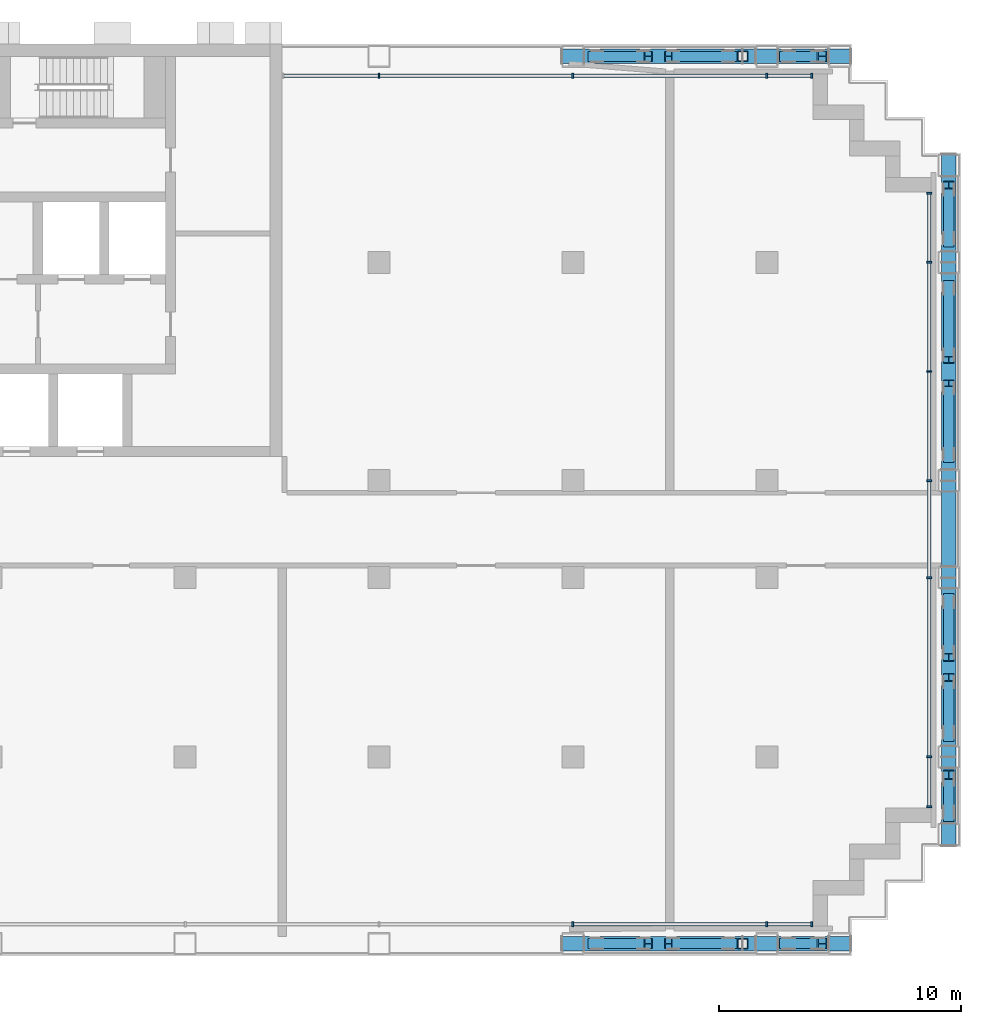
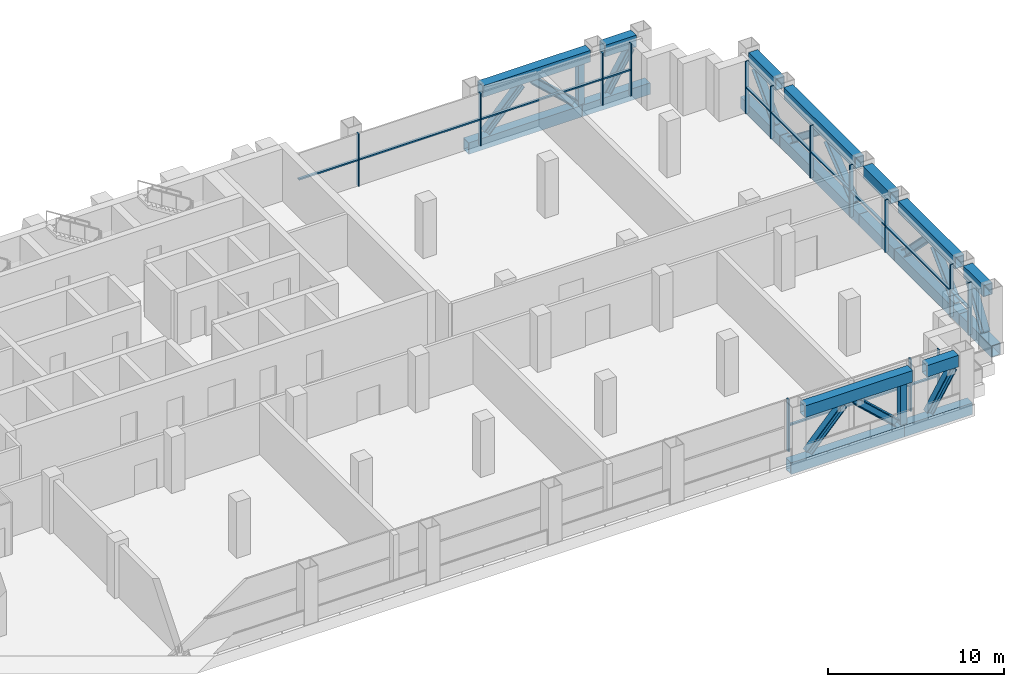
# One storey, part 5 of 19: 58 members, 3 elements without a shape of their own.
"""IFC4 building model written with IfcOpenShell, lengths in metres."""

from ifc_helpers import new_model, si_unit, direction, frame, origin, origin_2d, place, context, subcontext, project, spatial, rectangle, hollow_rectangle, i_section, extrude, material, material_profile, profile_set, type_object, element, aggregate, save


model = new_model("IFC4")

# Units and contexts
model_context = context("Model", 3, precision=1e-05, world=origin(), true_north=direction((0.0, 1.0)))
body_context = subcontext(model_context, "Body", "Model", "MODEL_VIEW")
ifc_project = project(units=[si_unit("LENGTHUNIT", "METRE"), si_unit("AREAUNIT", "SQUARE_METRE"), si_unit("VOLUMEUNIT", "CUBIC_METRE"), si_unit("PLANEANGLEUNIT", "RADIAN"), si_unit("MASSUNIT", "GRAM", prefix="KILO")], contexts=[model_context])

# Site, building, storey
site_placement = place(None, origin())
site = spatial("IfcSite", under=ifc_project, at=site_placement, CompositionType="ELEMENT")
building_placement = place(site_placement, origin())
building = spatial("IfcBuilding", under=site, at=building_placement, Name="Vidyagriha Tower", CompositionType="ELEMENT")
storey_placement = place(building_placement, frame((0.0, 0.0, 73.60009765625)))
storey = spatial("IfcBuildingStorey", under=building, at=storey_placement, Name="L18", CompositionType="ELEMENT", Elevation=73.60009765625)

# Curtain wall, members
ifc_material_1 = material(Name="Aluminium and glass curtain wall", Category="aluminium")
curtain_wall_type = type_object("IfcCurtainWallType", Name="Plant louvre wall", PredefinedType="USERDEFINED", material=ifc_material_1)
curtain_wall_1_placement = place(storey_placement, origin())
curtain_wall_1 = element("IfcCurtainWall", 1, at=curtain_wall_1_placement, inside=storey, type_object=curtain_wall_type, Name="CW7 plant louvre wall", ObjectType="STICK GLAZING", PredefinedType="USERDEFINED")
ifc_material_2 = material(Name="Aluminium black anodised", Category="aluminium")
ifc_material_profile_1 = material_profile(ifc_material_2, rectangle(XDim=0.219970703125, YDim=0.080078125, at=origin_2d()), Name="Mullion 80x220 black aluminium")
ifc_profile_set_1 = profile_set([ifc_material_profile_1], Name="Aluminium black anodised")
member_type_1 = type_object("IfcMemberType", Name="Mullion 80x220 black aluminium", PredefinedType="MULLION", material=ifc_profile_set_1)
member_1_placement = place(storey_placement, frame((35.860107421875, 18.699951171875, 0.0), z_axis=(0.0, 0.0, 1.0), x_axis=(0.0, -1.0, 0.0)))
member_1 = element("IfcMember", 2, at=member_1_placement, type_object=member_type_1, Name="CW7 mullion 1", PredefinedType="MULLION", context=body_context, shape_type="SweptSolid", body=[
    extrude(rectangle(XDim=0.219970703125, YDim=0.080078125, at=origin_2d()), origin(), (0.0, 0.0, 1.0), 3.619873046875),
])
member_2_placement = place(storey_placement, frame((34.0, 18.699951171875, 0.0), z_axis=(0.0, 0.0, 1.0), x_axis=(0.0, -1.0, 0.0)))
member_2 = element("IfcMember", 3, at=member_2_placement, type_object=member_type_1, Name="CW7 mullion 2", PredefinedType="MULLION", context=body_context, shape_type="SweptSolid", body=[
    extrude(rectangle(XDim=0.219970703125, YDim=0.080078125, at=origin_2d()), origin(), (0.0, 0.0, 1.0), 3.619873046875),
])
member_3_placement = place(storey_placement, frame((26.0, 18.699951171875, 0.0), z_axis=(0.0, 0.0, 1.0), x_axis=(0.0, -1.0, 0.0)))
member_3 = element("IfcMember", 4, at=member_3_placement, type_object=member_type_1, Name="CW7 mullion 3", PredefinedType="MULLION", context=body_context, shape_type="SweptSolid", body=[
    extrude(rectangle(XDim=0.219970703125, YDim=0.080078125, at=origin_2d()), origin(), (0.0, 0.0, 1.0), 3.619873046875),
])
member_4_placement = place(storey_placement, frame((18.0, 18.699951171875, 0.0), z_axis=(0.0, 0.0, 1.0), x_axis=(0.0, -1.0, 0.0)))
member_4 = element("IfcMember", 5, at=member_4_placement, type_object=member_type_1, Name="CW7 mullion 4", PredefinedType="MULLION", context=body_context, shape_type="SweptSolid", body=[
    extrude(rectangle(XDim=0.219970703125, YDim=0.080078125, at=origin_2d()), origin(), (0.0, 0.0, 1.0), 3.619873046875),
])

curtain_wall_2_placement = place(storey_placement, origin())
curtain_wall_2 = element("IfcCurtainWall", 6, at=curtain_wall_2_placement, inside=storey, type_object=curtain_wall_type, Name="CW7 plant louvre wall", ObjectType="STICK GLAZING", PredefinedType="USERDEFINED")
member_5_placement = place(storey_placement, frame((26.0, -16.300048828125, 0.0), z_axis=(0.0, 0.0, 1.0), x_axis=(0.0, 1.0, 0.0)))
member_5 = element("IfcMember", 7, at=member_5_placement, type_object=member_type_1, Name="CW7 mullion 8", PredefinedType="MULLION", context=body_context, shape_type="SweptSolid", body=[
    extrude(rectangle(XDim=0.219970703125, YDim=0.080078125, at=origin_2d()), origin(), (0.0, 0.0, 1.0), 3.619873046875),
])
member_6_placement = place(storey_placement, frame((34.0, -16.300048828125, 0.0), z_axis=(0.0, 0.0, 1.0), x_axis=(0.0, 1.0, 0.0)))
member_6 = element("IfcMember", 8, at=member_6_placement, type_object=member_type_1, Name="CW7 mullion 9", PredefinedType="MULLION", context=body_context, shape_type="SweptSolid", body=[
    extrude(rectangle(XDim=0.219970703125, YDim=0.080078125, at=origin_2d()), origin(), (0.0, 0.0, 1.0), 3.619873046875),
])
member_7_placement = place(storey_placement, frame((35.860107421875, -16.300048828125, 0.0), z_axis=(0.0, 0.0, 1.0), x_axis=(0.0, 1.0, 0.0)))
member_7 = element("IfcMember", 9, at=member_7_placement, type_object=member_type_1, Name="CW7 mullion 10", PredefinedType="MULLION", context=body_context, shape_type="SweptSolid", body=[
    extrude(rectangle(XDim=0.219970703125, YDim=0.080078125, at=origin_2d()), origin(), (0.0, 0.0, 1.0), 3.619873046875),
])

curtain_wall_3_placement = place(storey_placement, origin())
curtain_wall_3 = element("IfcCurtainWall", 10, at=curtain_wall_3_placement, inside=storey, type_object=curtain_wall_type, Name="CW7 plant louvre wall", ObjectType="STICK GLAZING", PredefinedType="USERDEFINED")
member_8_placement = place(storey_placement, frame((40.699951171875, -11.4599609375, 0.0), z_axis=(0.0, 0.0, 1.0), x_axis=(-1.0, 0.0, 0.0)))
member_8 = element("IfcMember", 11, at=member_8_placement, type_object=member_type_1, Name="CW7 mullion 1", PredefinedType="MULLION", context=body_context, shape_type="SweptSolid", body=[
    extrude(rectangle(XDim=0.219970703125, YDim=0.080078125, at=origin_2d()), origin(), (0.0, 0.0, 1.0), 3.619873046875),
])
member_9_placement = place(storey_placement, frame((40.699951171875, -9.39990234375, 0.0), z_axis=(0.0, 0.0, 1.0), x_axis=(-1.0, 0.0, 0.0)))
member_9 = element("IfcMember", 12, at=member_9_placement, type_object=member_type_1, Name="CW7 mullion 2", PredefinedType="MULLION", context=body_context, shape_type="SweptSolid", body=[
    extrude(rectangle(XDim=0.219970703125, YDim=0.080078125, at=origin_2d()), origin(), (0.0, 0.0, 1.0), 3.619873046875),
])
member_10_placement = place(storey_placement, frame((40.699951171875, -2.0, 0.0), z_axis=(0.0, 0.0, 1.0), x_axis=(-1.0, 0.0, 0.0)))
member_10 = element("IfcMember", 13, at=member_10_placement, type_object=member_type_1, Name="CW7 mullion 3", PredefinedType="MULLION", context=body_context, shape_type="SweptSolid", body=[
    extrude(rectangle(XDim=0.219970703125, YDim=0.080078125, at=origin_2d()), origin(), (0.0, 0.0, 1.0), 3.619873046875),
])
member_11_placement = place(storey_placement, frame((40.699951171875, 2.0, 0.0), z_axis=(0.0, 0.0, 1.0), x_axis=(-1.0, 0.0, 0.0)))
member_11 = element("IfcMember", 14, at=member_11_placement, type_object=member_type_1, Name="CW7 mullion 4", PredefinedType="MULLION", context=body_context, shape_type="SweptSolid", body=[
    extrude(rectangle(XDim=0.219970703125, YDim=0.080078125, at=origin_2d()), origin(), (0.0, 0.0, 1.0), 3.619873046875),
])
member_12_placement = place(storey_placement, frame((40.699951171875, 6.5, 0.0), z_axis=(0.0, 0.0, 1.0), x_axis=(-1.0, 0.0, 0.0)))
member_12 = element("IfcMember", 15, at=member_12_placement, type_object=member_type_1, Name="CW7 mullion 5", PredefinedType="MULLION", context=body_context, shape_type="SweptSolid", body=[
    extrude(rectangle(XDim=0.219970703125, YDim=0.080078125, at=origin_2d()), origin(), (0.0, 0.0, 1.0), 3.619873046875),
])
member_13_placement = place(storey_placement, frame((40.699951171875, 11.0, 0.0), z_axis=(0.0, 0.0, 1.0), x_axis=(-1.0, 0.0, 0.0)))
member_13 = element("IfcMember", 16, at=member_13_placement, type_object=member_type_1, Name="CW7 mullion 6", PredefinedType="MULLION", context=body_context, shape_type="SweptSolid", body=[
    extrude(rectangle(XDim=0.219970703125, YDim=0.080078125, at=origin_2d()), origin(), (0.0, 0.0, 1.0), 3.619873046875),
])
member_14_placement = place(storey_placement, frame((40.699951171875, 13.860107421875, 0.0), z_axis=(0.0, 0.0, 1.0), x_axis=(-1.0, 0.0, 0.0)))
member_14 = element("IfcMember", 17, at=member_14_placement, type_object=member_type_1, Name="CW7 mullion 7", PredefinedType="MULLION", context=body_context, shape_type="SweptSolid", body=[
    extrude(rectangle(XDim=0.219970703125, YDim=0.080078125, at=origin_2d()), origin(), (0.0, 0.0, 1.0), 3.619873046875),
])

# Members
ifc_material_3 = material(Name="Steel ASTM A572 Grade 50", Category="steel")
ifc_material_profile_2 = material_profile(ifc_material_3, hollow_rectangle(XDim=0.60009765625, YDim=0.800048828125, WallThickness=0.034912109375, at=origin_2d()), Name="BOX 800x600x35")
ifc_profile_set_2 = profile_set([ifc_material_profile_2], Name="Steel ASTM A572 Grade 50")
member_type_2 = type_object("IfcMemberType", Name="Transfer truss chord BOX 800x600x35", PredefinedType="CHORD", material=ifc_profile_set_2)
member_15_placement = place(storey_placement, frame((25.550048828125, -17.10009765625, -0.400146484375), z_axis=(1.0, 0.0, 0.0), x_axis=(0.0, 1.0, 0.0)))
element("IfcMember", 18, at=member_15_placement, inside=storey, type_object=member_type_2, Name="st-truss-L18-T01-B00", PredefinedType="CHORD", context=body_context, shape_type="SweptSolid", body=[
    extrude(hollow_rectangle(XDim=0.60009765625, YDim=0.800048828125, WallThickness=0.034912109375, at=origin_2d()), origin(), (0.0, 0.0, 1.0), 7.430419921875),
])
member_16_placement = place(storey_placement, frame((26.469482421875, -17.10009765625, 3.219970703125), z_axis=(1.0, 0.0, 0.0), x_axis=(0.0, 1.0, 0.0)))
element("IfcMember", 19, at=member_16_placement, inside=storey, type_object=member_type_2, Name="st-truss-L18-T01-T00", PredefinedType="CHORD", context=body_context, shape_type="SweptSolid", body=[
    extrude(hollow_rectangle(XDim=0.60009765625, YDim=0.800048828125, WallThickness=0.034912109375, at=origin_2d()), origin(), (0.0, 0.0, 1.0), 7.06103515625),
])
member_17_placement = place(storey_placement, frame((33.0, -17.10009765625, -0.400146484375), z_axis=(1.0, 0.0, 0.0), x_axis=(0.0, 1.0, 0.0)))
element("IfcMember", 20, at=member_17_placement, inside=storey, type_object=member_type_2, Name="st-truss-L18-T01-B01", PredefinedType="CHORD", context=body_context, shape_type="SweptSolid", body=[
    extrude(hollow_rectangle(XDim=0.60009765625, YDim=0.800048828125, WallThickness=0.034912109375, at=origin_2d()), origin(), (0.0, 0.0, 1.0), 4.449951171875),
])
member_18_placement = place(storey_placement, frame((34.469482421875, -17.10009765625, 3.219970703125), z_axis=(1.0, 0.0, 0.0), x_axis=(0.0, 1.0, 0.0)))
element("IfcMember", 21, at=member_18_placement, inside=storey, type_object=member_type_2, Name="st-truss-L18-T01-T02", PredefinedType="CHORD", context=body_context, shape_type="SweptSolid", body=[
    extrude(hollow_rectangle(XDim=0.60009765625, YDim=0.800048828125, WallThickness=0.034912109375, at=origin_2d()), origin(), (0.0, 0.0, 1.0), 2.06103515625),
])
member_19_placement = place(storey_placement, frame((25.550048828125, 19.5, -0.400146484375), z_axis=(1.0, 0.0, 0.0), x_axis=(0.0, 1.0, 0.0)))
element("IfcMember", 22, at=member_19_placement, inside=storey, type_object=member_type_2, Name="st-truss-L18-T07-B00", PredefinedType="CHORD", context=body_context, shape_type="SweptSolid", body=[
    extrude(hollow_rectangle(XDim=0.60009765625, YDim=0.800048828125, WallThickness=0.034912109375, at=origin_2d()), origin(), (0.0, 0.0, 1.0), 7.430419921875),
])
member_20_placement = place(storey_placement, frame((26.469482421875, 19.5, 3.219970703125), z_axis=(1.0, 0.0, 0.0), x_axis=(0.0, 1.0, 0.0)))
element("IfcMember", 23, at=member_20_placement, inside=storey, type_object=member_type_2, Name="st-truss-L18-T07-T00", PredefinedType="CHORD", context=body_context, shape_type="SweptSolid", body=[
    extrude(hollow_rectangle(XDim=0.60009765625, YDim=0.800048828125, WallThickness=0.034912109375, at=origin_2d()), origin(), (0.0, 0.0, 1.0), 7.06103515625),
])
member_21_placement = place(storey_placement, frame((33.0, 19.5, -0.400146484375), z_axis=(1.0, 0.0, 0.0), x_axis=(0.0, 1.0, 0.0)))
element("IfcMember", 24, at=member_21_placement, inside=storey, type_object=member_type_2, Name="st-truss-L18-T07-B01", PredefinedType="CHORD", context=body_context, shape_type="SweptSolid", body=[
    extrude(hollow_rectangle(XDim=0.60009765625, YDim=0.800048828125, WallThickness=0.034912109375, at=origin_2d()), origin(), (0.0, 0.0, 1.0), 4.449951171875),
])
member_22_placement = place(storey_placement, frame((34.469482421875, 19.5, 3.219970703125), z_axis=(1.0, 0.0, 0.0), x_axis=(0.0, 1.0, 0.0)))
element("IfcMember", 25, at=member_22_placement, inside=storey, type_object=member_type_2, Name="st-truss-L18-T07-T02", PredefinedType="CHORD", context=body_context, shape_type="SweptSolid", body=[
    extrude(hollow_rectangle(XDim=0.60009765625, YDim=0.800048828125, WallThickness=0.034912109375, at=origin_2d()), origin(), (0.0, 0.0, 1.0), 2.06103515625),
])
member_23_placement = place(storey_placement, frame((41.5, -13.050048828125, -0.400146484375), z_axis=(0.0, 1.0, 0.0), x_axis=(-1.0, 0.0, 0.0)))
element("IfcMember", 26, at=member_23_placement, inside=storey, type_object=member_type_2, Name="st-truss-L18-T09-B00", PredefinedType="CHORD", context=body_context, shape_type="SweptSolid", body=[
    extrude(hollow_rectangle(XDim=0.60009765625, YDim=0.800048828125, WallThickness=0.034912109375, at=origin_2d()), origin(), (0.0, 0.0, 1.0), 3.630615234375),
])
member_24_placement = place(storey_placement, frame((41.5, -12.130615234375, 3.219970703125), z_axis=(0.0, 1.0, 0.0), x_axis=(-1.0, 0.0, 0.0)))
element("IfcMember", 27, at=member_24_placement, inside=storey, type_object=member_type_2, Name="st-truss-L18-T09-T00", PredefinedType="CHORD", context=body_context, shape_type="SweptSolid", body=[
    extrude(hollow_rectangle(XDim=0.60009765625, YDim=0.800048828125, WallThickness=0.034912109375, at=origin_2d()), origin(), (0.0, 0.0, 1.0), 2.26123046875),
])
member_25_placement = place(storey_placement, frame((41.5, -9.39990234375, -0.400146484375), z_axis=(0.0, 1.0, 0.0), x_axis=(-1.0, 0.0, 0.0)))
element("IfcMember", 28, at=member_25_placement, inside=storey, type_object=member_type_2, Name="st-truss-L18-T09-B01", PredefinedType="CHORD", context=body_context, shape_type="SweptSolid", body=[
    extrude(hollow_rectangle(XDim=0.60009765625, YDim=0.800048828125, WallThickness=0.034912109375, at=origin_2d()), origin(), (0.0, 0.0, 1.0), 7.38037109375),
])
member_26_placement = place(storey_placement, frame((41.5, -8.930419921875, 3.219970703125), z_axis=(0.0, 1.0, 0.0), x_axis=(-1.0, 0.0, 0.0)))
element("IfcMember", 29, at=member_26_placement, inside=storey, type_object=member_type_2, Name="st-truss-L18-T09-T01", PredefinedType="CHORD", context=body_context, shape_type="SweptSolid", body=[
    extrude(hollow_rectangle(XDim=0.60009765625, YDim=0.800048828125, WallThickness=0.034912109375, at=origin_2d()), origin(), (0.0, 0.0, 1.0), 6.4609375),
])
member_27_placement = place(storey_placement, frame((41.5, -2.0, -0.400146484375), z_axis=(0.0, 1.0, 0.0), x_axis=(-1.0, 0.0, 0.0)))
element("IfcMember", 30, at=member_27_placement, inside=storey, type_object=member_type_2, Name="st-truss-L18-T09-B02", PredefinedType="CHORD", context=body_context, shape_type="SweptSolid", body=[
    extrude(hollow_rectangle(XDim=0.60009765625, YDim=0.800048828125, WallThickness=0.034912109375, at=origin_2d()), origin(), (0.0, 0.0, 1.0), 3.98046875),
])
member_28_placement = place(storey_placement, frame((41.5, -1.530517578125, 3.219970703125), z_axis=(0.0, 1.0, 0.0), x_axis=(-1.0, 0.0, 0.0)))
element("IfcMember", 31, at=member_28_placement, inside=storey, type_object=member_type_2, Name="st-truss-L18-T09-T02", PredefinedType="CHORD", context=body_context, shape_type="SweptSolid", body=[
    extrude(hollow_rectangle(XDim=0.60009765625, YDim=0.800048828125, WallThickness=0.034912109375, at=origin_2d()), origin(), (0.0, 0.0, 1.0), 3.06103515625),
])
member_29_placement = place(storey_placement, frame((41.5, 2.0, -0.400146484375), z_axis=(0.0, 1.0, 0.0), x_axis=(-1.0, 0.0, 0.0)))
element("IfcMember", 32, at=member_29_placement, inside=storey, type_object=member_type_2, Name="st-truss-L18-T09-B03", PredefinedType="CHORD", context=body_context, shape_type="SweptSolid", body=[
    extrude(hollow_rectangle(XDim=0.60009765625, YDim=0.800048828125, WallThickness=0.034912109375, at=origin_2d()), origin(), (0.0, 0.0, 1.0), 8.98046875),
])
member_30_placement = place(storey_placement, frame((41.5, 2.469482421875, 3.219970703125), z_axis=(0.0, 1.0, 0.0), x_axis=(-1.0, 0.0, 0.0)))
element("IfcMember", 33, at=member_30_placement, inside=storey, type_object=member_type_2, Name="st-truss-L18-T09-T03", PredefinedType="CHORD", context=body_context, shape_type="SweptSolid", body=[
    extrude(hollow_rectangle(XDim=0.60009765625, YDim=0.800048828125, WallThickness=0.034912109375, at=origin_2d()), origin(), (0.0, 0.0, 1.0), 8.06103515625),
])
member_31_placement = place(storey_placement, frame((41.5, 11.0, -0.400146484375), z_axis=(0.0, 1.0, 0.0), x_axis=(-1.0, 0.0, 0.0)))
element("IfcMember", 34, at=member_31_placement, inside=storey, type_object=member_type_2, Name="st-truss-L18-T09-B04", PredefinedType="CHORD", context=body_context, shape_type="SweptSolid", body=[
    extrude(hollow_rectangle(XDim=0.60009765625, YDim=0.800048828125, WallThickness=0.034912109375, at=origin_2d()), origin(), (0.0, 0.0, 1.0), 4.449951171875),
])
member_32_placement = place(storey_placement, frame((41.5, 11.469482421875, 3.219970703125), z_axis=(0.0, 1.0, 0.0), x_axis=(-1.0, 0.0, 0.0)))
element("IfcMember", 35, at=member_32_placement, inside=storey, type_object=member_type_2, Name="st-truss-L18-T09-T04", PredefinedType="CHORD", context=body_context, shape_type="SweptSolid", body=[
    extrude(hollow_rectangle(XDim=0.60009765625, YDim=0.800048828125, WallThickness=0.034912109375, at=origin_2d()), origin(), (0.0, 0.0, 1.0), 3.06103515625),
])
ifc_material_4 = material(Name="Steel ASTM A913 Grade 65", Category="steel")
ifc_material_profile_3 = material_profile(ifc_material_4, i_section(OverallWidth=0.421630859375, OverallDepth=0.46484375, WebThickness=0.030029296875, FlangeThickness=0.052978515625, at=origin_2d()), Name="W14X398")
ifc_profile_set_3 = profile_set([ifc_material_profile_3], Name="Steel ASTM A913 Grade 65")
member_type_3 = type_object("IfcMemberType", Name="Transfer truss diagonal W14X398", PredefinedType="BRACE", material=ifc_profile_set_3)
member_33_placement = place(storey_placement, frame((26.795166015625, -17.10009765625, 0.157470703125), z_axis=(0.677863337289, 0.0, 0.735187932409), x_axis=(0.0, 1.0, 0.0)))
element("IfcMember", 36, at=member_33_placement, inside=storey, type_object=member_type_3, Name="st-truss-L18-T01-D000", PredefinedType="BRACE", context=body_context, shape_type="SweptSolid", body=[
    extrude(i_section(OverallWidth=0.421630859375, OverallDepth=0.46484375, WebThickness=0.030029296875, FlangeThickness=0.052978515625, at=origin_2d()), origin(), (0.0, 0.0, 1.0), 3.4072265625),
])
member_34_placement = place(storey_placement, frame((29.9345703125, -17.10009765625, 2.649169921875), z_axis=(0.73428024386, 0.0, -0.678846465319), x_axis=(0.0, 1.0, 0.0)))
element("IfcMember", 37, at=member_34_placement, inside=storey, type_object=member_type_3, Name="st-truss-L18-T01-D001", PredefinedType="BRACE", context=body_context, shape_type="SweptSolid", body=[
    extrude(i_section(OverallWidth=0.421630859375, OverallDepth=0.46484375, WebThickness=0.030029296875, FlangeThickness=0.052978515625, at=origin_2d()), origin(), (0.0, 0.0, 1.0), 3.651123046875),
])
member_35_placement = place(storey_placement, frame((34.722412109375, -17.10009765625, 0.119873046875), z_axis=(0.516234706047, 0.0, 0.856447154396), x_axis=(0.0, 1.0, 0.0)))
element("IfcMember", 38, at=member_35_placement, inside=storey, type_object=member_type_3, Name="st-truss-L18-T01-D020", PredefinedType="BRACE", context=body_context, shape_type="SweptSolid", body=[
    extrude(i_section(OverallWidth=0.421630859375, OverallDepth=0.46484375, WebThickness=0.030029296875, FlangeThickness=0.052978515625, at=origin_2d()), origin(), (0.0, 0.0, 1.0), 3.012451171875),
])
member_36_placement = place(storey_placement, frame((26.795166015625, 19.5, 0.157470703125), z_axis=(0.677863337289, 0.0, 0.735187932409), x_axis=(0.0, 1.0, 0.0)))
element("IfcMember", 39, at=member_36_placement, inside=storey, type_object=member_type_3, Name="st-truss-L18-T07-D000", PredefinedType="BRACE", context=body_context, shape_type="SweptSolid", body=[
    extrude(i_section(OverallWidth=0.421630859375, OverallDepth=0.46484375, WebThickness=0.030029296875, FlangeThickness=0.052978515625, at=origin_2d()), origin(), (0.0, 0.0, 1.0), 3.4072265625),
])
member_37_placement = place(storey_placement, frame((29.9345703125, 19.5, 2.649169921875), z_axis=(0.73428024386, 0.0, -0.678846465319), x_axis=(0.0, 1.0, 0.0)))
element("IfcMember", 40, at=member_37_placement, inside=storey, type_object=member_type_3, Name="st-truss-L18-T07-D001", PredefinedType="BRACE", context=body_context, shape_type="SweptSolid", body=[
    extrude(i_section(OverallWidth=0.421630859375, OverallDepth=0.46484375, WebThickness=0.030029296875, FlangeThickness=0.052978515625, at=origin_2d()), origin(), (0.0, 0.0, 1.0), 3.651123046875),
])
member_38_placement = place(storey_placement, frame((34.722412109375, 19.5, 0.119873046875), z_axis=(0.516234706047, 0.0, 0.856447154396), x_axis=(0.0, 1.0, 0.0)))
element("IfcMember", 41, at=member_38_placement, inside=storey, type_object=member_type_3, Name="st-truss-L18-T07-D020", PredefinedType="BRACE", context=body_context, shape_type="SweptSolid", body=[
    extrude(i_section(OverallWidth=0.421630859375, OverallDepth=0.46484375, WebThickness=0.030029296875, FlangeThickness=0.052978515625, at=origin_2d()), origin(), (0.0, 0.0, 1.0), 3.012451171875),
])
member_39_placement = place(storey_placement, frame((41.5, -11.862548828125, 0.1298828125), z_axis=(0.0, 0.558817992611, 0.829290329821), x_axis=(-1.0, 0.0, 0.0)))
element("IfcMember", 42, at=member_39_placement, inside=storey, type_object=member_type_3, Name="st-truss-L18-T09-D000", PredefinedType="BRACE", context=body_context, shape_type="SweptSolid", body=[
    extrude(i_section(OverallWidth=0.421630859375, OverallDepth=0.46484375, WebThickness=0.030029296875, FlangeThickness=0.052978515625, at=origin_2d()), origin(), (0.0, 0.0, 1.0), 3.087158203125),
])
for number, where, z_axis, x_axis, name in (
    (43, (41.5, -8.58740234375, 0.16357421875), (0.0, 0.704565322512, 0.709639138093), (-1.0, 0.0, 0.0), "st-truss-L18-T09-D010"),
    (44, (41.5, -5.287353515625, 2.65625), (0.0, 0.704565322512, -0.709639138093), (-1.0, 0.0, 0.0), "st-truss-L18-T09-D011"),
):
    element("IfcMember", number, at=place(storey_placement, frame(where, z_axis=z_axis, x_axis=x_axis)), inside=storey, type_object=member_type_3, Name=name, PredefinedType="BRACE", context=body_context, shape_type="SweptSolid", body=[
        extrude(i_section(OverallWidth=0.421630859375, OverallDepth=0.46484375, WebThickness=0.030029296875, FlangeThickness=0.052978515625, at=origin_2d()), origin(), (0.0, 0.0, 1.0), 3.5126953125),
    ])
for number, where, z_axis, x_axis, name in (
    (45, (41.5, 2.883544921875, 0.182861328125), (0.0, 0.787220111676, 0.616672113666), (-1.0, 0.0, 0.0), "st-truss-L18-T09-D030"),
    (46, (41.5, 6.983642578125, 2.636962890625), (0.0, 0.787220111676, -0.616672113666), (-1.0, 0.0, 0.0), "st-truss-L18-T09-D031"),
):
    element("IfcMember", number, at=place(storey_placement, frame(where, z_axis=z_axis, x_axis=x_axis)), inside=storey, type_object=member_type_3, Name=name, PredefinedType="BRACE", context=body_context, shape_type="SweptSolid", body=[
        extrude(i_section(OverallWidth=0.421630859375, OverallDepth=0.46484375, WebThickness=0.030029296875, FlangeThickness=0.052978515625, at=origin_2d()), origin(), (0.0, 0.0, 1.0), 3.9794921875),
    ])
member_40_placement = place(storey_placement, frame((41.5, 11.803955078125, 0.16064453125), z_axis=(0.0, 0.691552695072, 0.722326013611), x_axis=(-1.0, 0.0, 0.0)))
element("IfcMember", 47, at=member_40_placement, inside=storey, type_object=member_type_3, Name="st-truss-L18-T09-D040", PredefinedType="BRACE", context=body_context, shape_type="SweptSolid", body=[
    extrude(i_section(OverallWidth=0.421630859375, OverallDepth=0.46484375, WebThickness=0.030029296875, FlangeThickness=0.052978515625, at=origin_2d()), origin(), (0.0, 0.0, 1.0), 3.458984375),
])
ifc_material_5 = material(Name="Steel ASTM A500 Grade C", Category="steel")
ifc_material_profile_4 = material_profile(ifc_material_5, hollow_rectangle(XDim=0.406494140625, YDim=0.406494140625, WallThickness=0.017822265625, at=origin_2d()), Name="HSS16X16X3/4")
ifc_profile_set_4 = profile_set([ifc_material_profile_4], Name="Steel ASTM A500 Grade C")
member_type_4 = type_object("IfcMemberType", Name="Transfer truss post HSS16X16X3/4", PredefinedType="POST", material=ifc_profile_set_4)
for number, where, name in (
    (48, (33.0, -17.10009765625, 0.0), "st-truss-L18-T01-P01"),
    (49, (33.0, 19.5, 0.0), "st-truss-L18-T07-P01"),
):
    element("IfcMember", number, at=place(storey_placement, frame(where)), inside=storey, type_object=member_type_4, Name=name, PredefinedType="POST", context=body_context, shape_type="SweptSolid", body=[
        extrude(hollow_rectangle(XDim=0.406494140625, YDim=0.406494140625, WallThickness=0.017822265625, at=origin_2d()), origin(), (0.0, 0.0, 1.0), 2.80029296875),
    ])

# Member
ifc_material_6 = material(Name="Aluminium black anodised", Category="aluminium")
ifc_material_profile_5 = material_profile(ifc_material_6, rectangle(XDim=0.159912109375, YDim=0.10009765625, at=origin_2d()), Name="Transom 100x160 black aluminium")
ifc_profile_set_5 = profile_set([ifc_material_profile_5], Name="Aluminium black anodised")
member_type_5 = type_object("IfcMemberType", Name="Transom 100x160 black aluminium", PredefinedType="USERDEFINED", material=ifc_profile_set_5)
member_41_placement = place(storey_placement, frame((35.820068359375, 18.699951171875, 1.809814453125), z_axis=(-1.0, 0.0, 0.0), x_axis=(0.0, -1.0, 0.0)))
member_41 = element("IfcMember", 50, at=member_41_placement, type_object=member_type_5, Name="CW7 transom 1.1", ObjectType="TRANSOM", PredefinedType="USERDEFINED", context=body_context, shape_type="SweptSolid", body=[
    extrude(rectangle(XDim=0.159912109375, YDim=0.10009765625, at=origin_2d()), origin(), (0.0, 0.0, 1.0), 1.780029296875),
])

member_42_placement = place(storey_placement, frame((33.9599609375, 18.699951171875, 1.809814453125), z_axis=(-1.0, 0.0, 0.0), x_axis=(0.0, -1.0, 0.0)))
member_42 = element("IfcMember", 51, at=member_42_placement, type_object=member_type_5, Name="CW7 transom 2.1", ObjectType="TRANSOM", PredefinedType="USERDEFINED", context=body_context, shape_type="SweptSolid", body=[
    extrude(rectangle(XDim=0.159912109375, YDim=0.10009765625, at=origin_2d()), origin(), (0.0, 0.0, 1.0), 7.919921875),
])

member_43_placement = place(storey_placement, frame((25.9599609375, 18.699951171875, 1.809814453125), z_axis=(-1.0, 0.0, 0.0), x_axis=(0.0, -1.0, 0.0)))
member_43 = element("IfcMember", 52, at=member_43_placement, type_object=member_type_5, Name="CW7 transom 3.1", ObjectType="TRANSOM", PredefinedType="USERDEFINED", context=body_context, shape_type="SweptSolid", body=[
    extrude(rectangle(XDim=0.159912109375, YDim=0.10009765625, at=origin_2d()), origin(), (0.0, 0.0, 1.0), 7.919921875),
])

member_44_placement = place(storey_placement, frame((17.9599609375, 18.699951171875, 1.809814453125), z_axis=(-1.0, 0.0, 0.0), x_axis=(0.0, -1.0, 0.0)))
member_44 = element("IfcMember", 53, at=member_44_placement, type_object=member_type_5, Name="CW7 transom 4.1", ObjectType="TRANSOM", PredefinedType="USERDEFINED", context=body_context, shape_type="SweptSolid", body=[
    extrude(rectangle(XDim=0.159912109375, YDim=0.10009765625, at=origin_2d()), origin(), (0.0, 0.0, 1.0), 3.8798828125),
])

aggregate(curtain_wall_1, [member_1, member_2, member_3, member_4, member_41, member_42, member_43, member_44])

member_45_placement = place(storey_placement, frame((26.0400390625, -16.300048828125, 1.809814453125), z_axis=(1.0, 0.0, 0.0), x_axis=(0.0, 1.0, 0.0)))
member_45 = element("IfcMember", 54, at=member_45_placement, type_object=member_type_5, Name="CW7 transom 8.1", ObjectType="TRANSOM", PredefinedType="USERDEFINED", context=body_context, shape_type="SweptSolid", body=[
    extrude(rectangle(XDim=0.159912109375, YDim=0.10009765625, at=origin_2d()), origin(), (0.0, 0.0, 1.0), 7.919921875),
])

member_46_placement = place(storey_placement, frame((34.0400390625, -16.300048828125, 1.809814453125), z_axis=(1.0, 0.0, 0.0), x_axis=(0.0, 1.0, 0.0)))
member_46 = element("IfcMember", 55, at=member_46_placement, type_object=member_type_5, Name="CW7 transom 9.1", ObjectType="TRANSOM", PredefinedType="USERDEFINED", context=body_context, shape_type="SweptSolid", body=[
    extrude(rectangle(XDim=0.159912109375, YDim=0.10009765625, at=origin_2d()), origin(), (0.0, 0.0, 1.0), 1.780029296875),
])

aggregate(curtain_wall_2, [member_5, member_6, member_7, member_45, member_46])

member_47_placement = place(storey_placement, frame((40.699951171875, -11.419921875, 1.809814453125), z_axis=(0.0, 1.0, 0.0), x_axis=(-1.0, 0.0, 0.0)))
member_47 = element("IfcMember", 56, at=member_47_placement, type_object=member_type_5, Name="CW7 transom 1.1", ObjectType="TRANSOM", PredefinedType="USERDEFINED", context=body_context, shape_type="SweptSolid", body=[
    extrude(rectangle(XDim=0.159912109375, YDim=0.10009765625, at=origin_2d()), origin(), (0.0, 0.0, 1.0), 1.97998046875),
])

member_48_placement = place(storey_placement, frame((40.699951171875, -9.360107421875, 1.809814453125), z_axis=(0.0, 1.0, 0.0), x_axis=(-1.0, 0.0, 0.0)))
member_48 = element("IfcMember", 57, at=member_48_placement, type_object=member_type_5, Name="CW7 transom 2.1", ObjectType="TRANSOM", PredefinedType="USERDEFINED", context=body_context, shape_type="SweptSolid", body=[
    extrude(rectangle(XDim=0.159912109375, YDim=0.10009765625, at=origin_2d()), origin(), (0.0, 0.0, 1.0), 7.320068359375),
])

member_49_placement = place(storey_placement, frame((40.699951171875, -1.9599609375, 1.809814453125), z_axis=(0.0, 1.0, 0.0), x_axis=(-1.0, 0.0, 0.0)))
member_49 = element("IfcMember", 58, at=member_49_placement, type_object=member_type_5, Name="CW7 transom 3.1", ObjectType="TRANSOM", PredefinedType="USERDEFINED", context=body_context, shape_type="SweptSolid", body=[
    extrude(rectangle(XDim=0.159912109375, YDim=0.10009765625, at=origin_2d()), origin(), (0.0, 0.0, 1.0), 3.919921875),
])

member_50_placement = place(storey_placement, frame((40.699951171875, 2.0400390625, 1.809814453125), z_axis=(0.0, 1.0, 0.0), x_axis=(-1.0, 0.0, 0.0)))
member_50 = element("IfcMember", 59, at=member_50_placement, type_object=member_type_5, Name="CW7 transom 4.1", ObjectType="TRANSOM", PredefinedType="USERDEFINED", context=body_context, shape_type="SweptSolid", body=[
    extrude(rectangle(XDim=0.159912109375, YDim=0.10009765625, at=origin_2d()), origin(), (0.0, 0.0, 1.0), 4.419921875),
])

member_51_placement = place(storey_placement, frame((40.699951171875, 6.5400390625, 1.809814453125), z_axis=(0.0, 1.0, 0.0), x_axis=(-1.0, 0.0, 0.0)))
member_51 = element("IfcMember", 60, at=member_51_placement, type_object=member_type_5, Name="CW7 transom 5.1", ObjectType="TRANSOM", PredefinedType="USERDEFINED", context=body_context, shape_type="SweptSolid", body=[
    extrude(rectangle(XDim=0.159912109375, YDim=0.10009765625, at=origin_2d()), origin(), (0.0, 0.0, 1.0), 4.419921875),
])

member_52_placement = place(storey_placement, frame((40.699951171875, 11.0400390625, 1.809814453125), z_axis=(0.0, 1.0, 0.0), x_axis=(-1.0, 0.0, 0.0)))
member_52 = element("IfcMember", 61, at=member_52_placement, type_object=member_type_5, Name="CW7 transom 6.1", ObjectType="TRANSOM", PredefinedType="USERDEFINED", context=body_context, shape_type="SweptSolid", body=[
    extrude(rectangle(XDim=0.159912109375, YDim=0.10009765625, at=origin_2d()), origin(), (0.0, 0.0, 1.0), 2.780029296875),
])

aggregate(curtain_wall_3, [member_8, member_9, member_10, member_11, member_12, member_13, member_14, member_47, member_48, member_49, member_50, member_51, member_52])

save(model, "model.ifc")
